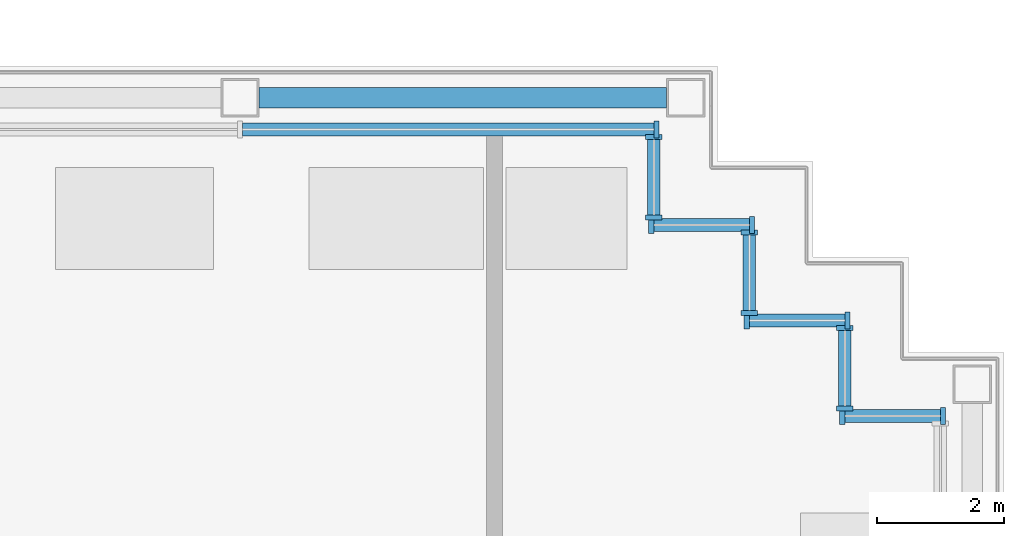
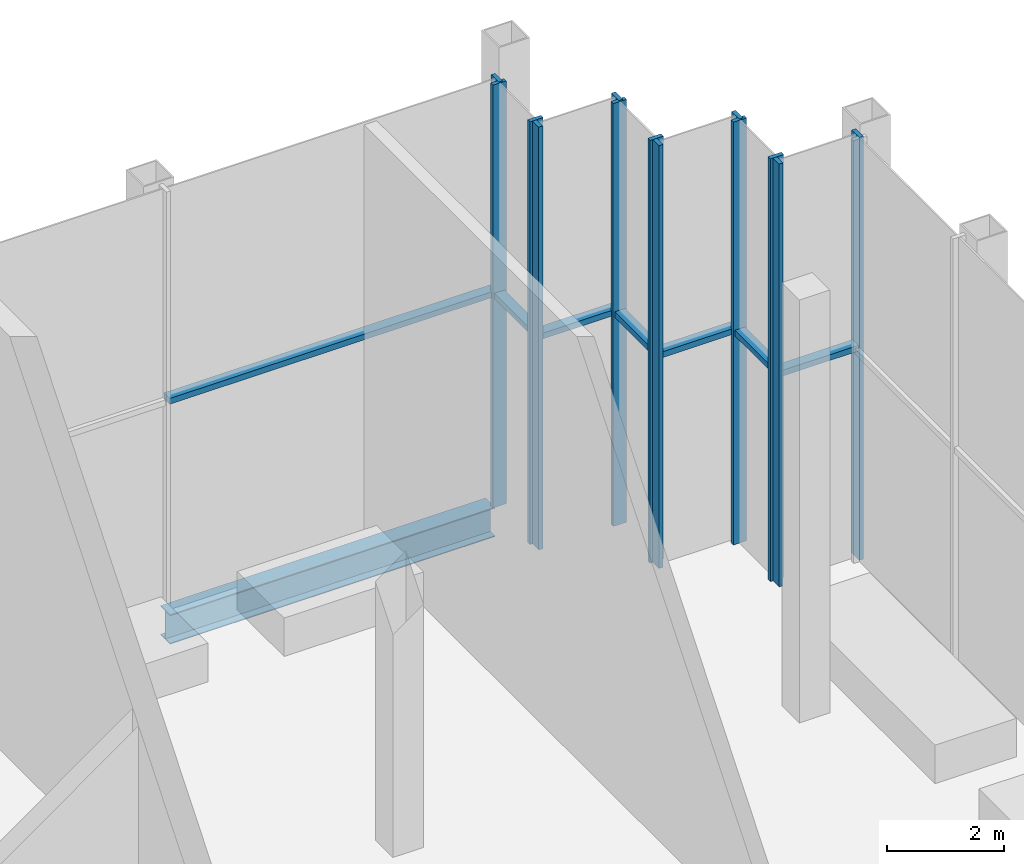
# One storey, part 5 of 15: 20 members, 1 beam, 7 elements without a shape of their own.
"""IFC4 building model written with IfcOpenShell, lengths in metres."""

from ifc_helpers import new_model, si_unit, direction, frame, origin, origin_2d, place, context, subcontext, project, spatial, rectangle, i_section, extrude, material, material_profile, profile_set, type_object, element, aggregate, save


model = new_model("IFC4")

# Units and contexts
model_context = context("Model", 3, precision=1e-05, world=origin(), true_north=direction((0.0, 1.0)))
body_context = subcontext(model_context, "Body", "Model", "MODEL_VIEW")
ifc_project = project(units=[si_unit("LENGTHUNIT", "METRE"), si_unit("AREAUNIT", "SQUARE_METRE"), si_unit("VOLUMEUNIT", "CUBIC_METRE"), si_unit("PLANEANGLEUNIT", "RADIAN"), si_unit("MASSUNIT", "GRAM", prefix="KILO")], contexts=[model_context])

# Site, building, storey
site_placement = place(None, origin())
site = spatial("IfcSite", under=ifc_project, at=site_placement, CompositionType="ELEMENT")
building_placement = place(site_placement, origin())
building = spatial("IfcBuilding", under=site, at=building_placement, Name="Vidyagriha Tower", CompositionType="ELEMENT")
storey_placement = place(building_placement, frame((0.0, 0.0, 239.60009765625)))
storey = spatial("IfcBuildingStorey", under=building, at=storey_placement, Name="L63", CompositionType="ELEMENT", Elevation=239.60009765625)

# Beam
ifc_material_1 = material(Name="Steel ASTM A992 Grade 50", Category="steel")
ifc_material_profile_1 = material_profile(ifc_material_1, i_section(OverallWidth=0.32373046875, OverallDepth=0.612060546875, WebThickness=0.0126953125, FlangeThickness=0.01904296875, at=origin_2d()), Name="W24X104")
ifc_profile_set_1 = profile_set([ifc_material_profile_1], Name="Steel ASTM A992 Grade 50")
beam_type = type_object("IfcBeamType", Name="Edge beam W24X104", PredefinedType="SPANDREL", material=ifc_profile_set_1)
beam_placement = place(storey_placement, frame((18.300048828125, 19.5, -0.7060546875), z_axis=(1.0, 0.0, 0.0), x_axis=(0.0, 1.0, 0.0)))
element("IfcBeam", 1, at=beam_placement, inside=storey, type_object=beam_type, Name="st-beam-L63-NE19", PredefinedType="SPANDREL", context=body_context, shape_type="SweptSolid", body=[
    extrude(i_section(OverallWidth=0.32373046875, OverallDepth=0.612060546875, WebThickness=0.0126953125, FlangeThickness=0.01904296875, at=origin_2d()), origin(), (0.0, 0.0, 1.0), 6.39990234375),
])

# Curtain wall, members
ifc_material_2 = material(Name="Aluminium and glass curtain wall", Category="aluminium")
curtain_wall_type = type_object("IfcCurtainWallType", Name="Winter garden glazing wall", PredefinedType="USERDEFINED", material=ifc_material_2)
curtain_wall_1_placement = place(storey_placement, origin())
curtain_wall_1 = element("IfcCurtainWall", 2, at=curtain_wall_1_placement, inside=storey, type_object=curtain_wall_type, Name="CW3 winter garden glazing", ObjectType="STICK GLAZING", PredefinedType="USERDEFINED")
ifc_material_3 = material(Name="Aluminium black anodised", Category="aluminium")
ifc_material_profile_2 = material_profile(ifc_material_3, rectangle(XDim=0.260009765625, YDim=0.080078125, at=origin_2d()), Name="Mullion 80x260 black aluminium")
ifc_profile_set_2 = profile_set([ifc_material_profile_2], Name="Aluminium black anodised")
member_type_1 = type_object("IfcMemberType", Name="Mullion 80x260 black aluminium", PredefinedType="MULLION", material=ifc_profile_set_2)
member_1_placement = place(storey_placement, frame((29.0400390625, 14.5, 0.0), z_axis=(0.0, 0.0, 1.0), x_axis=(0.0, -1.0, 0.0)))
member_1 = element("IfcMember", 3, at=member_1_placement, type_object=member_type_1, Name="CW3 mullion 1", PredefinedType="MULLION", context=body_context, shape_type="SweptSolid", body=[
    extrude(rectangle(XDim=0.260009765625, YDim=0.080078125, at=origin_2d()), origin(), (0.0, 0.0, 1.0), 8.7998046875),
])
member_2_placement = place(storey_placement, frame((27.4599609375, 14.5, 0.0), z_axis=(0.0, 0.0, 1.0), x_axis=(0.0, -1.0, 0.0)))
member_2 = element("IfcMember", 4, at=member_2_placement, type_object=member_type_1, Name="CW3 mullion 2", PredefinedType="MULLION", context=body_context, shape_type="SweptSolid", body=[
    extrude(rectangle(XDim=0.260009765625, YDim=0.080078125, at=origin_2d()), origin(), (0.0, 0.0, 1.0), 8.7998046875),
])

curtain_wall_2_placement = place(storey_placement, origin())
curtain_wall_2 = element("IfcCurtainWall", 5, at=curtain_wall_2_placement, inside=storey, type_object=curtain_wall_type, Name="CW3 winter garden glazing", ObjectType="STICK GLAZING", PredefinedType="USERDEFINED")
member_3_placement = place(storey_placement, frame((27.5, 14.6201171875, 0.0), z_axis=(0.0, 0.0, 1.0), x_axis=(-1.0, 0.0, 0.0)))
member_3 = element("IfcMember", 6, at=member_3_placement, type_object=member_type_1, Name="CW3 mullion 1", PredefinedType="MULLION", context=body_context, shape_type="SweptSolid", body=[
    extrude(rectangle(XDim=0.260009765625, YDim=0.080078125, at=origin_2d()), origin(), (0.0, 0.0, 1.0), 8.7998046875),
])
member_4_placement = place(storey_placement, frame((27.5, 15.8798828125, 0.0), z_axis=(0.0, 0.0, 1.0), x_axis=(-1.0, 0.0, 0.0)))
member_4 = element("IfcMember", 7, at=member_4_placement, type_object=member_type_1, Name="CW3 mullion 2", PredefinedType="MULLION", context=body_context, shape_type="SweptSolid", body=[
    extrude(rectangle(XDim=0.260009765625, YDim=0.080078125, at=origin_2d()), origin(), (0.0, 0.0, 1.0), 8.7998046875),
])

curtain_wall_3_placement = place(storey_placement, origin())
curtain_wall_3 = element("IfcCurtainWall", 8, at=curtain_wall_3_placement, inside=storey, type_object=curtain_wall_type, Name="CW3 winter garden glazing", ObjectType="STICK GLAZING", PredefinedType="USERDEFINED")
member_5_placement = place(storey_placement, frame((27.5400390625, 16.0, 0.0), z_axis=(0.0, 0.0, 1.0), x_axis=(0.0, -1.0, 0.0)))
member_5 = element("IfcMember", 9, at=member_5_placement, type_object=member_type_1, Name="CW3 mullion 1", PredefinedType="MULLION", context=body_context, shape_type="SweptSolid", body=[
    extrude(rectangle(XDim=0.260009765625, YDim=0.080078125, at=origin_2d()), origin(), (0.0, 0.0, 1.0), 8.7998046875),
])
member_6_placement = place(storey_placement, frame((25.9599609375, 16.0, 0.0), z_axis=(0.0, 0.0, 1.0), x_axis=(0.0, -1.0, 0.0)))
member_6 = element("IfcMember", 10, at=member_6_placement, type_object=member_type_1, Name="CW3 mullion 2", PredefinedType="MULLION", context=body_context, shape_type="SweptSolid", body=[
    extrude(rectangle(XDim=0.260009765625, YDim=0.080078125, at=origin_2d()), origin(), (0.0, 0.0, 1.0), 8.7998046875),
])

curtain_wall_4_placement = place(storey_placement, origin())
curtain_wall_4 = element("IfcCurtainWall", 11, at=curtain_wall_4_placement, inside=storey, type_object=curtain_wall_type, Name="CW3 winter garden glazing", ObjectType="STICK GLAZING", PredefinedType="USERDEFINED")
member_7_placement = place(storey_placement, frame((26.0, 16.1201171875, 0.0), z_axis=(0.0, 0.0, 1.0), x_axis=(-1.0, 0.0, 0.0)))
member_7 = element("IfcMember", 12, at=member_7_placement, type_object=member_type_1, Name="CW3 mullion 1", PredefinedType="MULLION", context=body_context, shape_type="SweptSolid", body=[
    extrude(rectangle(XDim=0.260009765625, YDim=0.080078125, at=origin_2d()), origin(), (0.0, 0.0, 1.0), 8.7998046875),
])
member_8_placement = place(storey_placement, frame((26.0, 17.3798828125, 0.0), z_axis=(0.0, 0.0, 1.0), x_axis=(-1.0, 0.0, 0.0)))
member_8 = element("IfcMember", 13, at=member_8_placement, type_object=member_type_1, Name="CW3 mullion 2", PredefinedType="MULLION", context=body_context, shape_type="SweptSolid", body=[
    extrude(rectangle(XDim=0.260009765625, YDim=0.080078125, at=origin_2d()), origin(), (0.0, 0.0, 1.0), 8.7998046875),
])

curtain_wall_5_placement = place(storey_placement, origin())
curtain_wall_5 = element("IfcCurtainWall", 14, at=curtain_wall_5_placement, inside=storey, type_object=curtain_wall_type, Name="CW3 winter garden glazing", ObjectType="STICK GLAZING", PredefinedType="USERDEFINED")
member_9_placement = place(storey_placement, frame((26.0400390625, 17.5, 0.0), z_axis=(0.0, 0.0, 1.0), x_axis=(0.0, -1.0, 0.0)))
member_9 = element("IfcMember", 15, at=member_9_placement, type_object=member_type_1, Name="CW3 mullion 1", PredefinedType="MULLION", context=body_context, shape_type="SweptSolid", body=[
    extrude(rectangle(XDim=0.260009765625, YDim=0.080078125, at=origin_2d()), origin(), (0.0, 0.0, 1.0), 8.7998046875),
])
member_10_placement = place(storey_placement, frame((24.4599609375, 17.5, 0.0), z_axis=(0.0, 0.0, 1.0), x_axis=(0.0, -1.0, 0.0)))
member_10 = element("IfcMember", 16, at=member_10_placement, type_object=member_type_1, Name="CW3 mullion 2", PredefinedType="MULLION", context=body_context, shape_type="SweptSolid", body=[
    extrude(rectangle(XDim=0.260009765625, YDim=0.080078125, at=origin_2d()), origin(), (0.0, 0.0, 1.0), 8.7998046875),
])

curtain_wall_6_placement = place(storey_placement, origin())
curtain_wall_6 = element("IfcCurtainWall", 17, at=curtain_wall_6_placement, inside=storey, type_object=curtain_wall_type, Name="CW3 winter garden glazing", ObjectType="STICK GLAZING", PredefinedType="USERDEFINED")
member_11_placement = place(storey_placement, frame((24.5, 17.6201171875, 0.0), z_axis=(0.0, 0.0, 1.0), x_axis=(-1.0, 0.0, 0.0)))
member_11 = element("IfcMember", 18, at=member_11_placement, type_object=member_type_1, Name="CW3 mullion 1", PredefinedType="MULLION", context=body_context, shape_type="SweptSolid", body=[
    extrude(rectangle(XDim=0.260009765625, YDim=0.080078125, at=origin_2d()), origin(), (0.0, 0.0, 1.0), 8.7998046875),
])
member_12_placement = place(storey_placement, frame((24.5, 18.8798828125, 0.0), z_axis=(0.0, 0.0, 1.0), x_axis=(-1.0, 0.0, 0.0)))
member_12 = element("IfcMember", 19, at=member_12_placement, type_object=member_type_1, Name="CW3 mullion 2", PredefinedType="MULLION", context=body_context, shape_type="SweptSolid", body=[
    extrude(rectangle(XDim=0.260009765625, YDim=0.080078125, at=origin_2d()), origin(), (0.0, 0.0, 1.0), 8.7998046875),
])

# Curtain wall, member
curtain_wall_7_placement = place(storey_placement, origin())
curtain_wall_7 = element("IfcCurtainWall", 20, at=curtain_wall_7_placement, inside=storey, type_object=curtain_wall_type, Name="CW3 winter garden glazing", ObjectType="STICK GLAZING", PredefinedType="USERDEFINED")
member_13_placement = place(storey_placement, frame((24.5400390625, 19.0, 0.0), z_axis=(0.0, 0.0, 1.0), x_axis=(0.0, -1.0, 0.0)))
member_13 = element("IfcMember", 21, at=member_13_placement, type_object=member_type_1, Name="CW3 mullion 1", PredefinedType="MULLION", context=body_context, shape_type="SweptSolid", body=[
    extrude(rectangle(XDim=0.260009765625, YDim=0.080078125, at=origin_2d()), origin(), (0.0, 0.0, 1.0), 8.7998046875),
])

# Member
ifc_material_4 = material(Name="Aluminium black anodised", Category="aluminium")
ifc_material_profile_3 = material_profile(ifc_material_4, rectangle(XDim=0.199951171875, YDim=0.1201171875, at=origin_2d()), Name="Transom 120x200 black aluminium")
ifc_profile_set_3 = profile_set([ifc_material_profile_3], Name="Aluminium black anodised")
member_type_2 = type_object("IfcMemberType", Name="Transom 120x200 black aluminium", PredefinedType="USERDEFINED", material=ifc_profile_set_3)
member_14_placement = place(storey_placement, frame((29.0, 14.5, 4.39990234375), z_axis=(-1.0, 0.0, 0.0), x_axis=(0.0, -1.0, 0.0)))
member_14 = element("IfcMember", 22, at=member_14_placement, type_object=member_type_2, Name="CW3 transom 1.1", ObjectType="TRANSOM", PredefinedType="USERDEFINED", context=body_context, shape_type="SweptSolid", body=[
    extrude(rectangle(XDim=0.199951171875, YDim=0.1201171875, at=origin_2d()), origin(), (0.0, 0.0, 1.0), 1.5),
])

aggregate(curtain_wall_1, [member_1, member_2, member_14])

member_15_placement = place(storey_placement, frame((27.5, 14.659912109375, 4.39990234375), z_axis=(0.0, 1.0, 0.0), x_axis=(-1.0, 0.0, 0.0)))
member_15 = element("IfcMember", 23, at=member_15_placement, type_object=member_type_2, Name="CW3 transom 1.1", ObjectType="TRANSOM", PredefinedType="USERDEFINED", context=body_context, shape_type="SweptSolid", body=[
    extrude(rectangle(XDim=0.199951171875, YDim=0.1201171875, at=origin_2d()), origin(), (0.0, 0.0, 1.0), 1.18017578125),
])

aggregate(curtain_wall_2, [member_3, member_4, member_15])

member_16_placement = place(storey_placement, frame((27.5, 16.0, 4.39990234375), z_axis=(-1.0, 0.0, 0.0), x_axis=(0.0, -1.0, 0.0)))
member_16 = element("IfcMember", 24, at=member_16_placement, type_object=member_type_2, Name="CW3 transom 1.1", ObjectType="TRANSOM", PredefinedType="USERDEFINED", context=body_context, shape_type="SweptSolid", body=[
    extrude(rectangle(XDim=0.199951171875, YDim=0.1201171875, at=origin_2d()), origin(), (0.0, 0.0, 1.0), 1.5),
])

aggregate(curtain_wall_3, [member_5, member_6, member_16])

member_17_placement = place(storey_placement, frame((26.0, 16.159912109375, 4.39990234375), z_axis=(0.0, 1.0, 0.0), x_axis=(-1.0, 0.0, 0.0)))
member_17 = element("IfcMember", 25, at=member_17_placement, type_object=member_type_2, Name="CW3 transom 1.1", ObjectType="TRANSOM", PredefinedType="USERDEFINED", context=body_context, shape_type="SweptSolid", body=[
    extrude(rectangle(XDim=0.199951171875, YDim=0.1201171875, at=origin_2d()), origin(), (0.0, 0.0, 1.0), 1.18017578125),
])

aggregate(curtain_wall_4, [member_7, member_8, member_17])

member_18_placement = place(storey_placement, frame((26.0, 17.5, 4.39990234375), z_axis=(-1.0, 0.0, 0.0), x_axis=(0.0, -1.0, 0.0)))
member_18 = element("IfcMember", 26, at=member_18_placement, type_object=member_type_2, Name="CW3 transom 1.1", ObjectType="TRANSOM", PredefinedType="USERDEFINED", context=body_context, shape_type="SweptSolid", body=[
    extrude(rectangle(XDim=0.199951171875, YDim=0.1201171875, at=origin_2d()), origin(), (0.0, 0.0, 1.0), 1.5),
])

aggregate(curtain_wall_5, [member_9, member_10, member_18])

member_19_placement = place(storey_placement, frame((24.5, 17.659912109375, 4.39990234375), z_axis=(0.0, 1.0, 0.0), x_axis=(-1.0, 0.0, 0.0)))
member_19 = element("IfcMember", 27, at=member_19_placement, type_object=member_type_2, Name="CW3 transom 1.1", ObjectType="TRANSOM", PredefinedType="USERDEFINED", context=body_context, shape_type="SweptSolid", body=[
    extrude(rectangle(XDim=0.199951171875, YDim=0.1201171875, at=origin_2d()), origin(), (0.0, 0.0, 1.0), 1.18017578125),
])

aggregate(curtain_wall_6, [member_11, member_12, member_19])

member_20_placement = place(storey_placement, frame((24.5, 19.0, 4.39990234375), z_axis=(-1.0, 0.0, 0.0), x_axis=(0.0, -1.0, 0.0)))
member_20 = element("IfcMember", 28, at=member_20_placement, type_object=member_type_2, Name="CW3 transom 1.1", ObjectType="TRANSOM", PredefinedType="USERDEFINED", context=body_context, shape_type="SweptSolid", body=[
    extrude(rectangle(XDim=0.199951171875, YDim=0.1201171875, at=origin_2d()), origin(), (0.0, 0.0, 1.0), 6.4599609375),
])

aggregate(curtain_wall_7, [member_13, member_20])

save(model, "model.ifc")
